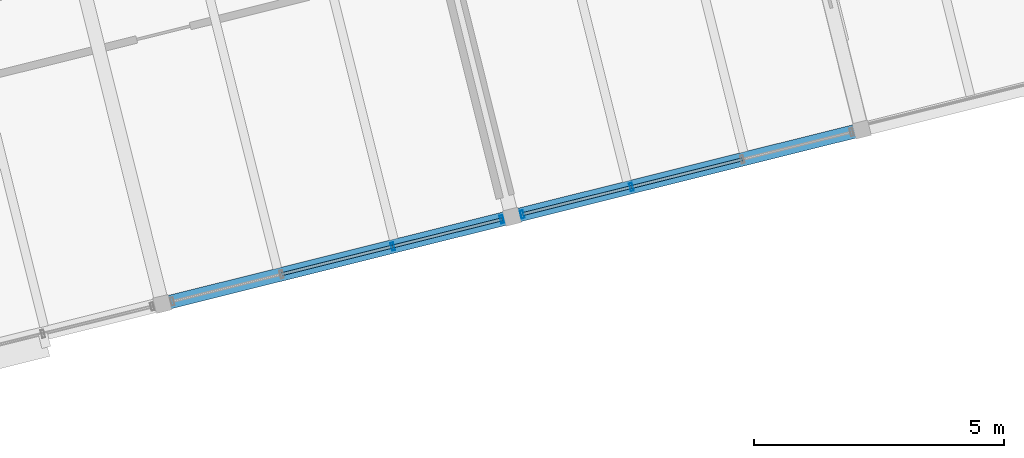
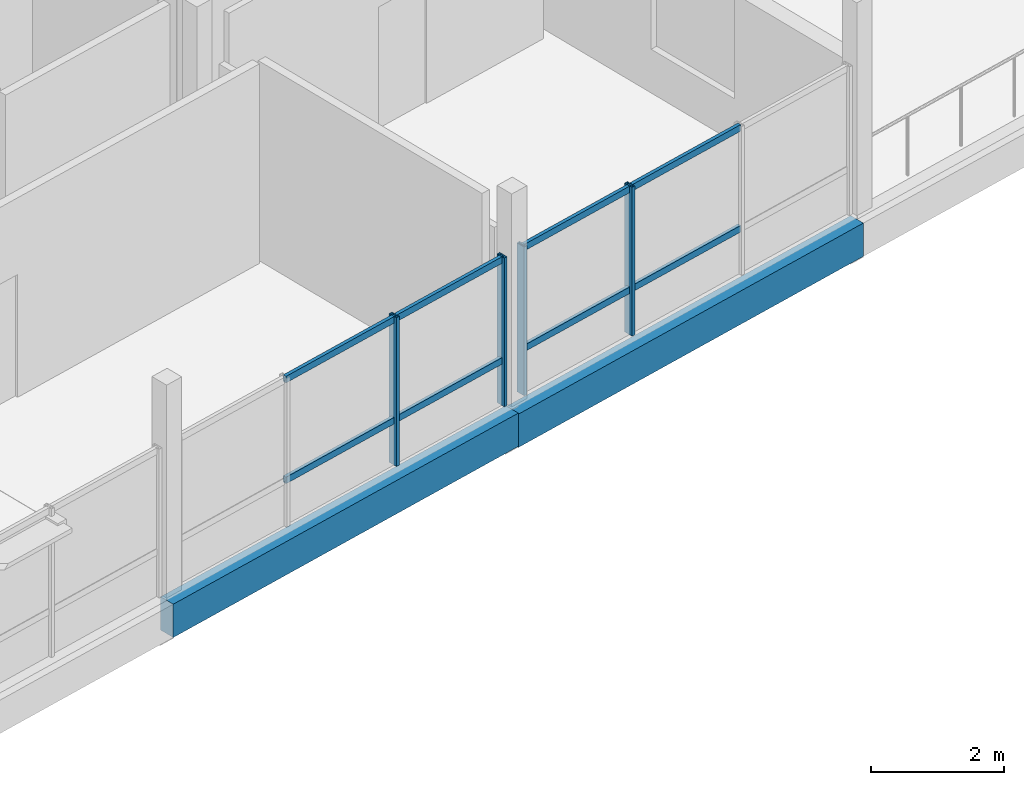
# One storey, part 7 of 24: 12 members, 2 beams, 2 elements without a shape of their own.
"""IFC4 building model written with IfcOpenShell, lengths in metres."""

from ifc_helpers import new_model, si_unit, direction, frame, origin, origin_2d, place, context, subcontext, project, spatial, rectangle, hollow_rectangle, extrude, material, layer, layer_set, material_profile, profile_set, type_object, element, aggregate, save


model = new_model("IFC4")

# Units and contexts
model_context = context("Model", 3, precision=1e-05, world=origin(), true_north=direction((0.0, 1.0)))
body_context = subcontext(model_context, "Body", "Model", "MODEL_VIEW")
ifc_project = project(units=[si_unit("LENGTHUNIT", "METRE"), si_unit("AREAUNIT", "SQUARE_METRE"), si_unit("VOLUMEUNIT", "CUBIC_METRE"), si_unit("PLANEANGLEUNIT", "RADIAN"), si_unit("MASSUNIT", "GRAM", prefix="KILO")], contexts=[model_context])

# Site, building, storey
site_placement = place(None, origin())
site = spatial("IfcSite", under=ifc_project, at=site_placement, CompositionType="ELEMENT")
building_placement = place(site_placement, origin())
building = spatial("IfcBuilding", under=site, at=building_placement, Name="Meriwether Solvik Hall", CompositionType="ELEMENT")
storey_placement = place(building_placement, frame((0.0, 0.0, 57.300048828125)))
storey = spatial("IfcBuildingStorey", under=building, at=storey_placement, Name="L14", CompositionType="ELEMENT", Elevation=57.300048828125)

# Beams
ifc_material_1 = material(Name="Glulam Douglas-Fir 24F-V8 GL28h", Category="wood")
ifc_material_profile_1 = material_profile(ifc_material_1, rectangle(XDim=0.27294921875, YDim=0.610107421875, at=origin_2d()), Name="GLB-273X610")
ifc_profile_set_1 = profile_set([ifc_material_profile_1], Name="Glulam Douglas-Fir 24F-V8 GL28h")
beam_type = type_object("IfcBeamType", Name="BM-GL-273X610", PredefinedType="SPANDREL", material=ifc_profile_set_1)
for number, where, z_axis, x_axis, name in (
    (1, (82.96044921875, 44.780517578125, -0.505126953125), (0.970299871507, 0.241905269381, 0.0), (-0.241905269381, 0.970299871507, 0.0), "Tower Girder TA:T3-T4 (L14)"),
    (2, (89.946533203125, 46.522216796875, -0.525146484375), (0.970291911955, 0.241937193493, 0.0), (-0.241937193493, 0.970291911955, 0.0), "Tower Girder TA:T4-T5 (L14)"),
):
    element("IfcBeam", number, at=place(storey_placement, frame(where, z_axis=z_axis, x_axis=x_axis)), inside=storey, type_object=beam_type, Name=name, PredefinedType="SPANDREL", context=body_context, shape_type="SweptSolid", body=[
        extrude(rectangle(XDim=0.27294921875, YDim=0.610107421875, at=origin_2d()), origin(), (0.0, 0.0, 1.0), 7.199951171875),
    ])

# Curtain wall, members
ifc_material_2 = material(Name="Thermally Broken Anodised Aluminium 6063-T6 and Low-E Glass", Category="aluminium")
ifc_layer_1 = layer(ifc_material_2, 0.179931640625)
ifc_layer_set_1 = layer_set([ifc_layer_1], Name="Thermally Broken Anodised Aluminium 6063-T6 and Low-E Glass")
curtain_wall_type_1 = type_object("IfcCurtainWallType", Name="CW-UNIT-G", PredefinedType="USERDEFINED", material=ifc_layer_set_1)
curtain_wall_1_placement = place(storey_placement, origin())
curtain_wall_1 = element("IfcCurtainWall", 3, at=curtain_wall_1_placement, inside=storey, type_object=curtain_wall_type_1, Name="Curtain Wall E0_B2 (L14)", ObjectType="UNITISED CURTAIN WALL", PredefinedType="USERDEFINED")
ifc_material_3 = material(Name="Anodised Aluminium 6063-T6", Category="aluminium")
ifc_material_profile_2 = material_profile(ifc_material_3, hollow_rectangle(XDim=0.06005859375, YDim=0.159912109375, WallThickness=0.00390625, at=origin_2d()), Name="CWM-60X160")
ifc_profile_set_2 = profile_set([ifc_material_profile_2], Name="Anodised Aluminium 6063-T6")
member_type_1 = type_object("IfcMemberType", Name="CW-MUL-60X160", PredefinedType="MULLION", material=ifc_profile_set_2)
member_1_placement = place(storey_placement, frame((89.7451171875, 46.47216796875, 0.0), z_axis=(0.0, 0.0, 1.0), x_axis=(-0.970295730764, -0.241921877598, 0.0)))
member_1 = element("IfcMember", 4, at=member_1_placement, type_object=member_type_1, Name="Curtain Wall Mullion 1", PredefinedType="MULLION", context=body_context, shape_type="SweptSolid", body=[
    extrude(hollow_rectangle(XDim=0.06005859375, YDim=0.159912109375, WallThickness=0.00390625, at=origin_2d()), origin(), (0.0, 0.0, 1.0), 2.724853515625),
])
member_2_placement = place(storey_placement, frame((87.56298828125, 45.927978515625, 0.0), z_axis=(0.0, 0.0, 1.0), x_axis=(-0.970295730764, -0.241921877598, 0.0)))
member_2 = element("IfcMember", 5, at=member_2_placement, type_object=member_type_1, Name="Curtain Wall Mullion 2", PredefinedType="MULLION", context=body_context, shape_type="SweptSolid", body=[
    extrude(hollow_rectangle(XDim=0.06005859375, YDim=0.159912109375, WallThickness=0.00390625, at=origin_2d()), origin(), (0.0, 0.0, 1.0), 2.724853515625),
])

ifc_material_4 = material(Name="Thermally Broken Anodised Aluminium 6063-T6 and Low-E Glass", Category="aluminium")
ifc_layer_2 = layer(ifc_material_4, 0.179931640625)
ifc_layer_set_2 = layer_set([ifc_layer_2], Name="Thermally Broken Anodised Aluminium 6063-T6 and Low-E Glass")
curtain_wall_type_2 = type_object("IfcCurtainWallType", Name="CW-UNIT-A", PredefinedType="USERDEFINED", material=ifc_layer_set_2)
curtain_wall_2_placement = place(storey_placement, origin())
curtain_wall_2 = element("IfcCurtainWall", 6, at=curtain_wall_2_placement, inside=storey, type_object=curtain_wall_type_2, Name="Curtain Wall E0_B3 (L14)", ObjectType="UNITISED CURTAIN WALL", PredefinedType="USERDEFINED")
member_3_placement = place(storey_placement, frame((92.330078125, 47.116455078125, 0.0), z_axis=(0.0, 0.0, 1.0), x_axis=(-0.970295696551, -0.241922014821, 0.0)))
member_3 = element("IfcMember", 7, at=member_3_placement, type_object=member_type_1, Name="Curtain Wall Mullion 3", PredefinedType="MULLION", context=body_context, shape_type="SweptSolid", body=[
    extrude(hollow_rectangle(XDim=0.06005859375, YDim=0.159912109375, WallThickness=0.00390625, at=origin_2d()), origin(), (0.0, 0.0, 1.0), 2.724853515625),
])
member_4_placement = place(storey_placement, frame((90.14794921875, 46.572509765625, 0.0), z_axis=(0.0, 0.0, 1.0), x_axis=(-0.970295696551, -0.241922014821, 0.0)))
member_4 = element("IfcMember", 8, at=member_4_placement, type_object=member_type_1, Name="Curtain Wall Mullion 4", PredefinedType="MULLION", context=body_context, shape_type="SweptSolid", body=[
    extrude(hollow_rectangle(XDim=0.06005859375, YDim=0.159912109375, WallThickness=0.00390625, at=origin_2d()), origin(), (0.0, 0.0, 1.0), 2.724853515625),
])

# Member
ifc_material_5 = material(Name="Anodised Aluminium 6063-T6", Category="aluminium")
ifc_material_profile_3 = material_profile(ifc_material_5, hollow_rectangle(XDim=0.06005859375, YDim=0.1201171875, WallThickness=0.00390625, at=origin_2d()), Name="CWT-60X120")
ifc_profile_set_3 = profile_set([ifc_material_profile_3], Name="Anodised Aluminium 6063-T6")
member_type_2 = type_object("IfcMemberType", Name="CW-TRN-60X120", PredefinedType="USERDEFINED", material=ifc_profile_set_3)
member_5_placement = place(storey_placement, frame((89.7451171875, 46.47216796875, 0.8173828125), z_axis=(-0.970282822978, -0.241973642025, 0.0), x_axis=(0.241973642025, -0.970282822978, 0.0)))
member_5 = element("IfcMember", 9, at=member_5_placement, type_object=member_type_2, Name="Curtain Wall Transom 1-sill", ObjectType="TRANSOM", PredefinedType="USERDEFINED", context=body_context, shape_type="SweptSolid", body=[
    extrude(hollow_rectangle(XDim=0.06005859375, YDim=0.1201171875, WallThickness=0.00390625, at=origin_2d()), origin(), (0.0, 0.0, 1.0), 2.2490234375),
])

member_6_placement = place(storey_placement, frame((89.7451171875, 46.47216796875, 2.6650390625), z_axis=(-0.970282822978, -0.241973642025, 0.0), x_axis=(0.241973642025, -0.970282822978, 0.0)))
member_6 = element("IfcMember", 10, at=member_6_placement, type_object=member_type_2, Name="Curtain Wall Transom 1-head", ObjectType="TRANSOM", PredefinedType="USERDEFINED", context=body_context, shape_type="SweptSolid", body=[
    extrude(hollow_rectangle(XDim=0.06005859375, YDim=0.1201171875, WallThickness=0.00390625, at=origin_2d()), origin(), (0.0, 0.0, 1.0), 2.2490234375),
])

member_7_placement = place(storey_placement, frame((87.56298828125, 45.927978515625, 0.8173828125), z_axis=(-0.97029929005, -0.241907601634, 0.0), x_axis=(0.241907601634, -0.97029929005, 0.0)))
member_7 = element("IfcMember", 11, at=member_7_placement, type_object=member_type_2, Name="Curtain Wall Transom 2-sill", ObjectType="TRANSOM", PredefinedType="USERDEFINED", context=body_context, shape_type="SweptSolid", body=[
    extrude(hollow_rectangle(XDim=0.06005859375, YDim=0.1201171875, WallThickness=0.00390625, at=origin_2d()), origin(), (0.0, 0.0, 1.0), 2.286865234375),
])

member_8_placement = place(storey_placement, frame((87.56298828125, 45.927978515625, 2.6650390625), z_axis=(-0.97029929005, -0.241907601634, 0.0), x_axis=(0.241907601634, -0.97029929005, 0.0)))
member_8 = element("IfcMember", 12, at=member_8_placement, type_object=member_type_2, Name="Curtain Wall Transom 2-head", ObjectType="TRANSOM", PredefinedType="USERDEFINED", context=body_context, shape_type="SweptSolid", body=[
    extrude(hollow_rectangle(XDim=0.06005859375, YDim=0.1201171875, WallThickness=0.00390625, at=origin_2d()), origin(), (0.0, 0.0, 1.0), 2.286865234375),
])

aggregate(curtain_wall_1, [member_1, member_2, member_5, member_6, member_7, member_8])

member_9_placement = place(storey_placement, frame((94.549072265625, 47.669921875, 0.8173828125), z_axis=(-0.970274227582, -0.242008105834, 0.0), x_axis=(0.242008105834, -0.970274227582, 0.0)))
member_9 = element("IfcMember", 13, at=member_9_placement, type_object=member_type_2, Name="Curtain Wall Transom 2-sill", ObjectType="TRANSOM", PredefinedType="USERDEFINED", context=body_context, shape_type="SweptSolid", body=[
    extrude(hollow_rectangle(XDim=0.06005859375, YDim=0.1201171875, WallThickness=0.00390625, at=origin_2d()), origin(), (0.0, 0.0, 1.0), 2.286865234375),
])

member_10_placement = place(storey_placement, frame((94.549072265625, 47.669921875, 2.6650390625), z_axis=(-0.970274227582, -0.242008105834, 0.0), x_axis=(0.242008105834, -0.970274227582, 0.0)))
member_10 = element("IfcMember", 14, at=member_10_placement, type_object=member_type_2, Name="Curtain Wall Transom 2-head", ObjectType="TRANSOM", PredefinedType="USERDEFINED", context=body_context, shape_type="SweptSolid", body=[
    extrude(hollow_rectangle(XDim=0.06005859375, YDim=0.1201171875, WallThickness=0.00390625, at=origin_2d()), origin(), (0.0, 0.0, 1.0), 2.286865234375),
])

member_11_placement = place(storey_placement, frame((92.330078125, 47.116455078125, 0.8173828125), z_axis=(-0.970308305597, -0.241871437108, 0.0), x_axis=(0.241871437108, -0.970308305597, 0.0)))
member_11 = element("IfcMember", 15, at=member_11_placement, type_object=member_type_2, Name="Curtain Wall Transom 3-sill", ObjectType="TRANSOM", PredefinedType="USERDEFINED", context=body_context, shape_type="SweptSolid", body=[
    extrude(hollow_rectangle(XDim=0.06005859375, YDim=0.1201171875, WallThickness=0.00390625, at=origin_2d()), origin(), (0.0, 0.0, 1.0), 2.2490234375),
])

member_12_placement = place(storey_placement, frame((92.330078125, 47.116455078125, 2.6650390625), z_axis=(-0.970308305597, -0.241871437108, 0.0), x_axis=(0.241871437108, -0.970308305597, 0.0)))
member_12 = element("IfcMember", 16, at=member_12_placement, type_object=member_type_2, Name="Curtain Wall Transom 3-head", ObjectType="TRANSOM", PredefinedType="USERDEFINED", context=body_context, shape_type="SweptSolid", body=[
    extrude(hollow_rectangle(XDim=0.06005859375, YDim=0.1201171875, WallThickness=0.00390625, at=origin_2d()), origin(), (0.0, 0.0, 1.0), 2.2490234375),
])

aggregate(curtain_wall_2, [member_3, member_4, member_9, member_10, member_11, member_12])

save(model, "model.ifc")
